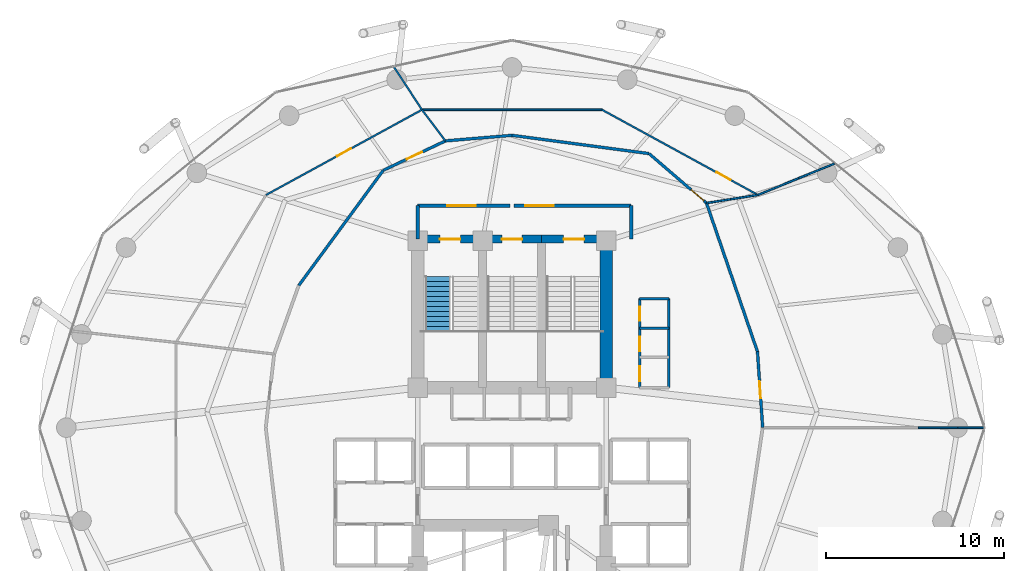
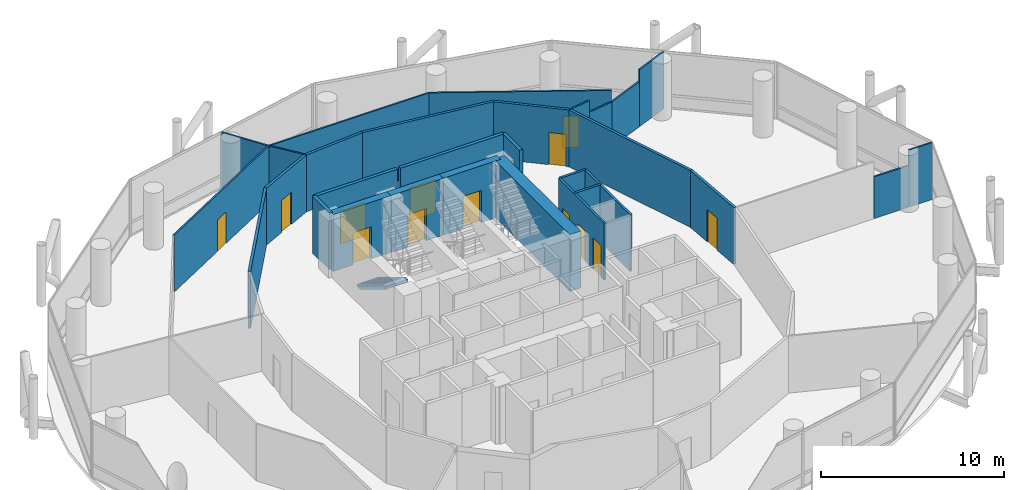
# One storey, part 23 of 25: 30 walls, 13 doors, 1 stair flight, 13 openings, 1 element without a shape of its own.
"""IFC4 building model written with IfcOpenShell, lengths in metres."""

from ifc_helpers import new_model, si_unit, direction, frame, frame_2d, origin, place, context, subcontext, project, spatial, polyline, rectangle, outline, extrude, material, layer, layer_set, type_object, element, fill, aggregate, save


model = new_model("IFC4")

# Units and contexts
model_context = context("Model", 3, precision=1e-05, world=origin(), true_north=direction((0.0, 1.0)))
body_context = subcontext(model_context, "Body", "Model", "MODEL_VIEW")
ifc_project = project(units=[si_unit("LENGTHUNIT", "METRE"), si_unit("AREAUNIT", "SQUARE_METRE"), si_unit("VOLUMEUNIT", "CUBIC_METRE"), si_unit("PLANEANGLEUNIT", "RADIAN"), si_unit("MASSUNIT", "GRAM", prefix="KILO")], contexts=[model_context])

# Site, building, storey
site_placement = place(None, origin())
site = spatial("IfcSite", under=ifc_project, at=site_placement, CompositionType="ELEMENT")
building_placement = place(site_placement, origin())
building = spatial("IfcBuilding", under=site, at=building_placement, Name="Nuhasar Tower", CompositionType="ELEMENT")
storey_placement = place(building_placement, frame((0.0, 0.0, 65.550048828125)))
storey = spatial("IfcBuildingStorey", under=building, at=storey_placement, Name="L15", CompositionType="ELEMENT", Elevation=65.550048828125)

# Wall, opening, door
ifc_material_1 = material(Name="Concrete C50/60", Category="concrete")
ifc_layer_1 = layer(ifc_material_1, 0.449951171875)
ifc_layer_set_1 = layer_set([ifc_layer_1], Name="Concrete C50/60")
wall_type_1 = type_object("IfcWallType", Name="WL-CORE-450", PredefinedType="SHEAR", material=ifc_layer_set_1)
wall_1_placement = place(storey_placement, frame((37.35009765625, 37.39990234375, 0.0), z_axis=(0.0, 0.0, 1.0), x_axis=(-1.0, 0.0, 0.0)))
wall_1 = element("IfcWall", 1, at=wall_1_placement, inside=storey, type_object=wall_type_1, Name="L15 Stairwell Shear Wall ST01-N", PredefinedType="SHEAR", context=body_context, shape_type="SweptSolid", body=[
    extrude(rectangle(XDim=3.650146484375, YDim=0.449951171875, at=frame_2d((1.8251953125, 0.0))), origin(), (0.0, 0.0, 1.0), 3.800048828125),
])
opening_1_placement = place(wall_1_placement, frame((1.25, 0.0, 0.0)))
opening_1 = element("IfcOpeningElement", 2, at=opening_1_placement, cuts=wall_1, Name="Opening DS-01", PredefinedType="OPENING", context=body_context, shape_type="SweptSolid", body=[
    extrude(rectangle(XDim=1.14990234375, YDim=2.14990234375, at=frame_2d((0.574951171875, 1.074951171875))), frame((0.0, 0.23486328125, 0.0), z_axis=(0.0, -1.0, 0.0), x_axis=(1.0, 0.0, 0.0)), (0.0, 0.0, 1.0), 0.469970703125),
])
ifc_material_2 = material(Name="Steel S355", Category="steel")
door_type_1 = type_object("IfcDoorType", Name="DR-STAIR-FD120-1150", OperationType="NOTDEFINED", PredefinedType="DOOR", material=ifc_material_2)
door_1_placement = place(opening_1_placement, origin())
door_1 = element("IfcDoor", 3, at=door_1_placement, inside=storey, type_object=door_type_1, Name="L15 Exit Stair ST-01 Door", OperationType="SINGLE_SWING_RIGHT", OverallHeight=2.14990234375, OverallWidth=1.14990234375, PredefinedType="DOOR", context=body_context, shape_type="SweptSolid", body=[
    extrude(rectangle(XDim=1.14990234375, YDim=2.14990234375, at=frame_2d((0.574951171875, 1.074951171875))), frame((0.0, 0.02490234375, 0.0), z_axis=(0.0, -1.0, 0.0), x_axis=(1.0, 0.0, 0.0)), (0.0, 0.0, 1.0), 0.050048828125),
])
fill(opening_1, door_1)

wall_2_placement = place(storey_placement, frame((40.64990234375, 37.39990234375, 0.0), z_axis=(0.0, 0.0, 1.0), x_axis=(-1.0, 0.0, 0.0)))
wall_2 = element("IfcWall", 4, at=wall_2_placement, inside=storey, type_object=wall_type_1, Name="L15 Stairwell Shear Wall ST03-N", PredefinedType="SHEAR", context=body_context, shape_type="SweptSolid", body=[
    extrude(rectangle(XDim=3.2998046875, YDim=0.449951171875, at=frame_2d((1.64990234375, 0.0))), origin(), (0.0, 0.0, 1.0), 3.800048828125),
])
opening_2_placement = place(wall_2_placement, frame((1.074951171875, 0.0, 0.0)))
opening_2 = element("IfcOpeningElement", 5, at=opening_2_placement, cuts=wall_2, Name="Opening DS-01", PredefinedType="OPENING", context=body_context, shape_type="SweptSolid", body=[
    extrude(rectangle(XDim=1.14990234375, YDim=2.14990234375, at=frame_2d((0.574951171875, 1.074951171875))), frame((0.0, 0.23486328125, 0.0), z_axis=(0.0, -1.0, 0.0), x_axis=(1.0, 0.0, 0.0)), (0.0, 0.0, 1.0), 0.469970703125),
])
door_2_placement = place(opening_2_placement, origin())
door_2 = element("IfcDoor", 6, at=door_2_placement, inside=storey, type_object=door_type_1, Name="L15 Exit Stair ST-03 Door", OperationType="SINGLE_SWING_RIGHT", OverallHeight=2.14990234375, OverallWidth=1.14990234375, PredefinedType="DOOR", context=body_context, shape_type="SweptSolid", body=[
    extrude(rectangle(XDim=1.14990234375, YDim=2.14990234375, at=frame_2d((0.574951171875, 1.074951171875))), frame((0.0, 0.02490234375, 0.0), z_axis=(0.0, -1.0, 0.0), x_axis=(1.0, 0.0, 0.0)), (0.0, 0.0, 1.0), 0.050048828125),
])
fill(opening_2, door_2)

wall_3_placement = place(storey_placement, frame((44.300048828125, 37.39990234375, 0.0), z_axis=(0.0, 0.0, 1.0), x_axis=(-1.0, 0.0, 0.0)))
wall_3 = element("IfcWall", 7, at=wall_3_placement, inside=storey, type_object=wall_type_1, Name="L15 Stairwell Shear Wall ST02-N", PredefinedType="SHEAR", context=body_context, shape_type="SweptSolid", body=[
    extrude(rectangle(XDim=3.650146484375, YDim=0.449951171875, at=frame_2d((1.8251953125, 0.0))), origin(), (0.0, 0.0, 1.0), 3.800048828125),
])
opening_3_placement = place(wall_3_placement, frame((1.25, 0.0, 0.0)))
opening_3 = element("IfcOpeningElement", 8, at=opening_3_placement, cuts=wall_3, Name="Opening DS-01", PredefinedType="OPENING", context=body_context, shape_type="SweptSolid", body=[
    extrude(rectangle(XDim=1.14990234375, YDim=2.14990234375, at=frame_2d((0.574951171875, 1.074951171875))), frame((0.0, 0.23486328125, 0.0), z_axis=(0.0, -1.0, 0.0), x_axis=(1.0, 0.0, 0.0)), (0.0, 0.0, 1.0), 0.469970703125),
])
door_3_placement = place(opening_3_placement, origin())
door_3 = element("IfcDoor", 9, at=door_3_placement, inside=storey, type_object=door_type_1, Name="L15 Exit Stair ST-02 Door", OperationType="SINGLE_SWING_LEFT", OverallHeight=2.14990234375, OverallWidth=1.14990234375, PredefinedType="DOOR", context=body_context, shape_type="SweptSolid", body=[
    extrude(rectangle(XDim=1.14990234375, YDim=2.14990234375, at=frame_2d((0.574951171875, 1.074951171875))), frame((0.0, 0.02490234375, 0.0), z_axis=(0.0, -1.0, 0.0), x_axis=(1.0, 0.0, 0.0)), (0.0, 0.0, 1.0), 0.050048828125),
])
fill(opening_3, door_3)

# Wall
ifc_material_3 = material(Name="Concrete C65/80", Category="concrete")
ifc_layer_2 = layer(ifc_material_3, 0.699951171875)
ifc_layer_set_2 = layer_set([ifc_layer_2], Name="Concrete C65/80")
wall_type_2 = type_object("IfcWallType", Name="WL-CORE-700", PredefinedType="SHEAR", material=ifc_layer_set_2)
wall_4_placement = place(storey_placement, frame((44.300048828125, 29.050048828125, 0.0), z_axis=(0.0, 0.0, 1.0), x_axis=(0.0, 1.0, 0.0)))
element("IfcWall", 10, at=wall_4_placement, inside=storey, type_object=wall_type_2, Name="L15 Core Shear Wall CW-NE CW-700", PredefinedType="SHEAR", context=body_context, shape_type="SweptSolid", body=[
    extrude(rectangle(XDim=8.349853515625, YDim=0.699951171875, at=frame_2d((4.1748046875, 0.0))), origin(), (0.0, 0.0, 1.0), 3.800048828125),
])

# Wall, opening, door
ifc_material_4 = material(Name="Gypsum Board", Category="gypsum")
ifc_layer_3 = layer(ifc_material_4, 0.159912109375)
ifc_layer_set_3 = layer_set([ifc_layer_3], Name="Gypsum Board")
wall_type_3 = type_object("IfcWallType", Name="WL-CORR-160", PredefinedType="PARTITIONING", material=ifc_layer_set_3)
wall_5_placement = place(storey_placement, frame((52.798095703125, 31.069091796875, 0.0), z_axis=(0.0, 0.0, 1.0), x_axis=(0.068238144639, -0.99766906117, 0.0)))
wall_5 = element("IfcWall", 11, at=wall_5_placement, inside=storey, type_object=wall_type_3, Name="L15 Interior Partition CORR-00", PredefinedType="PARTITIONING", context=body_context, shape_type="SweptSolid", body=[
    extrude(rectangle(XDim=4.279052734375, YDim=0.159912109375, at=frame_2d((2.1396484375, 0.0))), origin(), (0.0, 0.0, 1.0), 3.800048828125),
])
opening_4_placement = place(wall_5_placement, frame((1.6640625, 0.0, 0.0)))
opening_4 = element("IfcOpeningElement", 12, at=opening_4_placement, cuts=wall_5, Name="Opening DO-01", PredefinedType="OPENING", context=body_context, shape_type="SweptSolid", body=[
    extrude(rectangle(XDim=0.949951171875, YDim=2.14990234375, at=frame_2d((0.47509765625, 1.074951171875))), frame((0.0, 0.08984375, 0.0), z_axis=(0.0, -1.0, 0.0), x_axis=(1.0, 0.0, 0.0)), (0.0, 0.0, 1.0), 0.179931640625),
])
ifc_material_5 = material(Name="Timber Oak", Category="wood")
door_type_2 = type_object("IfcDoorType", Name="DR-OFFICE-FD30-950", OperationType="NOTDEFINED", PredefinedType="DOOR", material=ifc_material_5)
door_4_placement = place(opening_4_placement, origin())
door_4 = element("IfcDoor", 13, at=door_4_placement, inside=storey, type_object=door_type_2, Name="L15 Quantitative Markets Lounge Entry Door", OperationType="SINGLE_SWING_LEFT", OverallHeight=2.14990234375, OverallWidth=0.949951171875, PredefinedType="DOOR", context=body_context, shape_type="SweptSolid", body=[
    extrude(rectangle(XDim=0.949951171875, YDim=2.14990234375, at=frame_2d((0.47509765625, 1.074951171875))), frame((0.0, 0.02490234375, 0.0), z_axis=(0.0, -1.0, 0.0), x_axis=(1.0, 0.0, 0.0)), (0.0, 0.0, 1.0), 0.050048828125),
])
fill(opening_4, door_4)

# Wall
wall_6_placement = place(storey_placement, frame((52.798095703125, 31.069091796875, 0.0), z_axis=(0.0, 0.0, 1.0), x_axis=(-0.32452502426, 0.945877110744, 0.0)))
element("IfcWall", 14, at=wall_6_placement, inside=storey, type_object=wall_type_3, Name="L15 Interior Partition CORR-02", PredefinedType="PARTITIONING", context=body_context, shape_type="SweptSolid", body=[
    extrude(rectangle(XDim=8.83203125, YDim=0.159912109375, at=frame_2d((4.416015625, 0.0))), origin(), (0.0, 0.0, 1.0), 3.800048828125),
])

# Wall, opening, door
wall_7_placement = place(storey_placement, frame((46.702880859375, 42.2041015625, 0.0), z_axis=(0.0, 0.0, 1.0), x_axis=(0.757713718274, -0.652587098508, 0.0)))
wall_7 = element("IfcWall", 15, at=wall_7_placement, inside=storey, type_object=wall_type_3, Name="L15 Interior Partition CORR-06", PredefinedType="PARTITIONING", context=body_context, shape_type="SweptSolid", body=[
    extrude(rectangle(XDim=4.261474609375, YDim=0.159912109375, at=frame_2d((2.130859375, 0.0))), origin(), (0.0, 0.0, 1.0), 3.800048828125),
])
opening_5_placement = place(wall_7_placement, frame((3.112060546875, 0.0, 0.0)))
opening_5 = element("IfcOpeningElement", 16, at=opening_5_placement, cuts=wall_7, Name="Opening DO-01", PredefinedType="OPENING", context=body_context, shape_type="SweptSolid", body=[
    extrude(rectangle(XDim=0.949951171875, YDim=2.14990234375, at=frame_2d((0.47509765625, 1.074951171875))), frame((0.0, 0.08984375, 0.0), z_axis=(0.0, -1.0, 0.0), x_axis=(1.0, 0.0, 0.0)), (0.0, 0.0, 1.0), 0.179931640625),
])
door_5_placement = place(opening_5_placement, origin())
door_5 = element("IfcDoor", 17, at=door_5_placement, inside=storey, type_object=door_type_2, Name="L15 Portfolio Research Office 1 Entry Door", OperationType="SINGLE_SWING_RIGHT", OverallHeight=2.14990234375, OverallWidth=0.949951171875, PredefinedType="DOOR", context=body_context, shape_type="SweptSolid", body=[
    extrude(rectangle(XDim=0.949951171875, YDim=2.14990234375, at=frame_2d((0.47509765625, 1.074951171875))), frame((0.0, 0.02490234375, 0.0), z_axis=(0.0, -1.0, 0.0), x_axis=(1.0, 0.0, 0.0)), (0.0, 0.0, 1.0), 0.050048828125),
])
fill(opening_5, door_5)

# Walls
wall_8_placement = place(storey_placement, frame((46.702880859375, 42.2041015625, 0.0), z_axis=(0.0, 0.0, 1.0), x_axis=(-0.991247645473, 0.132015549627, 0.0)))
element("IfcWall", 18, at=wall_8_placement, inside=storey, type_object=wall_type_3, Name="L15 Interior Partition CORR-08", PredefinedType="PARTITIONING", context=body_context, shape_type="SweptSolid", body=[
    extrude(rectangle(XDim=7.77099609375, YDim=0.159912109375, at=frame_2d((3.885498046875, 0.0))), origin(), (0.0, 0.0, 1.0), 3.800048828125),
])
wall_9_placement = place(storey_placement, frame((39.0, 43.22998046875, 0.0), z_axis=(0.0, 0.0, 1.0), x_axis=(-0.996516536006, -0.083395404345, 0.0)))
element("IfcWall", 19, at=wall_9_placement, inside=storey, type_object=wall_type_3, Name="L15 Interior Partition CORR-12", PredefinedType="PARTITIONING", context=body_context, shape_type="SweptSolid", body=[
    extrude(rectangle(XDim=3.753173828125, YDim=0.159912109375, at=frame_2d((1.87646484375, 0.0))), origin(), (0.0, 0.0, 1.0), 3.800048828125),
])

# Wall, opening, door
wall_10_placement = place(storey_placement, frame((31.76708984375, 41.264892578125, 0.0), z_axis=(0.0, 0.0, 1.0), x_axis=(0.90398213878, 0.427570219691, 0.0)))
wall_10 = element("IfcWall", 20, at=wall_10_placement, inside=storey, type_object=wall_type_3, Name="L15 Interior Partition CORR-14", PredefinedType="PARTITIONING", context=body_context, shape_type="SweptSolid", body=[
    extrude(rectangle(XDim=3.864013671875, YDim=0.159912109375, at=frame_2d((1.93212890625, 0.0))), origin(), (0.0, 0.0, 1.0), 3.800048828125),
])
opening_6_placement = place(wall_10_placement, frame((1.45703125, 0.0, 0.0)))
opening_6 = element("IfcOpeningElement", 21, at=opening_6_placement, cuts=wall_10, Name="Opening DO-01", PredefinedType="OPENING", context=body_context, shape_type="SweptSolid", body=[
    extrude(rectangle(XDim=0.949951171875, YDim=2.14990234375, at=frame_2d((0.47509765625, 1.074951171875))), frame((0.0, 0.08984375, 0.0), z_axis=(0.0, -1.0, 0.0), x_axis=(1.0, 0.0, 0.0)), (0.0, 0.0, 1.0), 0.179931640625),
])
door_6_placement = place(opening_6_placement, origin())
door_6 = element("IfcDoor", 22, at=door_6_placement, inside=storey, type_object=door_type_2, Name="L15 Portfolio Research Office 2 Entry Door", OperationType="SINGLE_SWING_RIGHT", OverallHeight=2.14990234375, OverallWidth=0.949951171875, PredefinedType="DOOR", context=body_context, shape_type="SweptSolid", body=[
    extrude(rectangle(XDim=0.949951171875, YDim=2.14990234375, at=frame_2d((0.47509765625, 1.074951171875))), frame((0.0, 0.02490234375, 0.0), z_axis=(0.0, -1.0, 0.0), x_axis=(1.0, 0.0, 0.0)), (0.0, 0.0, 1.0), 0.050048828125),
])
fill(opening_6, door_6)

# Walls
wall_11_placement = place(storey_placement, frame((31.76708984375, 41.264892578125, 0.0), z_axis=(0.0, 0.0, 1.0), x_axis=(-0.59176417482, -0.806111134645, 0.0)))
element("IfcWall", 23, at=wall_11_placement, inside=storey, type_object=wall_type_3, Name="L15 Interior Partition CORR-16", PredefinedType="PARTITIONING", context=body_context, shape_type="SweptSolid", body=[
    extrude(rectangle(XDim=8.0322265625, YDim=0.159912109375, at=frame_2d((4.01611328125, 0.0))), origin(), (0.0, 0.0, 1.0), 3.800048828125),
])
ifc_material_6 = material(Name="Concrete C45/55", Category="concrete")
ifc_layer_4 = layer(ifc_material_6, 0.199951171875)
ifc_layer_set_4 = layer_set([ifc_layer_4], Name="Concrete C45/55")
wall_type_4 = type_object("IfcWallType", Name="WL-LOBBY-200", PredefinedType="SOLIDWALL", material=ifc_layer_set_4)
for number, where, z_axis, x_axis, name in (
    (24, (33.699951171875, 37.39990234375, 0.0), (0.0, 0.0, 1.0), (0.0, 1.0, 0.0), "L15 Interior Partition NSL-W"),
    (25, (45.699951171875, 37.39990234375, 0.0), (0.0, 0.0, 1.0), (0.0, 1.0, 0.0), "L15 Interior Partition NSL-E"),
):
    element("IfcWall", number, at=place(storey_placement, frame(where, z_axis=z_axis, x_axis=x_axis)), inside=storey, type_object=wall_type_4, Name=name, PredefinedType="SOLIDWALL", context=body_context, shape_type="SweptSolid", body=[
        extrude(rectangle(XDim=1.880126953125, YDim=0.199951171875, at=frame_2d((0.93994140625, 0.0))), origin(), (0.0, 0.0, 1.0), 3.800048828125),
    ])

# Wall, opening, door
wall_12_placement = place(storey_placement, frame((38.89990234375, 39.280029296875, 0.0), z_axis=(0.0, 0.0, 1.0), x_axis=(-1.0, 0.0, 0.0)))
wall_12 = element("IfcWall", 26, at=wall_12_placement, inside=storey, type_object=wall_type_4, Name="L15 Interior Partition NSL-N1", PredefinedType="SOLIDWALL", context=body_context, shape_type="SweptSolid", body=[
    extrude(rectangle(XDim=5.199951171875, YDim=0.199951171875, at=frame_2d((2.60009765625, 0.0))), origin(), (0.0, 0.0, 1.0), 3.800048828125),
])
opening_7_placement = place(wall_12_placement, frame((1.949951171875, 0.0, 0.0)))
opening_7 = element("IfcOpeningElement", 27, at=opening_7_placement, cuts=wall_12, Name="Opening DC-01", PredefinedType="OPENING", context=body_context, shape_type="SweptSolid", body=[
    extrude(rectangle(XDim=1.60009765625, YDim=2.199951171875, at=frame_2d((0.800048828125, 1.10009765625))), frame((0.0, 0.10986328125, 0.0), z_axis=(0.0, -1.0, 0.0), x_axis=(1.0, 0.0, 0.0)), (0.0, 0.0, 1.0), 0.219970703125),
])
door_type_3 = type_object("IfcDoorType", Name="DR-CORR-FD60-1600", OperationType="DOUBLE_DOOR_SINGLE_SWING", PredefinedType="DOOR", material=ifc_material_2)
door_7_placement = place(opening_7_placement, origin())
door_7 = element("IfcDoor", 28, at=door_7_placement, inside=storey, type_object=door_type_3, Name="L15 North Stair Lobby West Door", OperationType="DOUBLE_DOOR_SINGLE_SWING", OverallHeight=2.199951171875, OverallWidth=1.60009765625, PredefinedType="DOOR", context=body_context, shape_type="SweptSolid", body=[
    extrude(rectangle(XDim=1.60009765625, YDim=2.199951171875, at=frame_2d((0.800048828125, 1.10009765625))), frame((0.0, 0.02490234375, 0.0), z_axis=(0.0, -1.0, 0.0), x_axis=(1.0, 0.0, 0.0)), (0.0, 0.0, 1.0), 0.050048828125),
])
fill(opening_7, door_7)

wall_13_placement = place(storey_placement, frame((45.699951171875, 39.280029296875, 0.0), z_axis=(0.0, 0.0, 1.0), x_axis=(-1.0, 0.0, 0.0)))
wall_13 = element("IfcWall", 29, at=wall_13_placement, inside=storey, type_object=wall_type_4, Name="L15 Interior Partition NSL-N2", PredefinedType="SOLIDWALL", context=body_context, shape_type="SweptSolid", body=[
    extrude(rectangle(XDim=6.599853515625, YDim=0.199951171875, at=frame_2d((3.2998046875, 0.0))), origin(), (0.0, 0.0, 1.0), 3.800048828125),
])
opening_8_placement = place(wall_13_placement, frame((4.35009765625, 0.0, 0.0)))
opening_8 = element("IfcOpeningElement", 30, at=opening_8_placement, cuts=wall_13, Name="Opening DC-01", PredefinedType="OPENING", context=body_context, shape_type="SweptSolid", body=[
    extrude(rectangle(XDim=1.60009765625, YDim=2.199951171875, at=frame_2d((0.800048828125, 1.10009765625))), frame((0.0, 0.10986328125, 0.0), z_axis=(0.0, -1.0, 0.0), x_axis=(1.0, 0.0, 0.0)), (0.0, 0.0, 1.0), 0.219970703125),
])
door_8_placement = place(opening_8_placement, origin())
door_8 = element("IfcDoor", 31, at=door_8_placement, inside=storey, type_object=door_type_3, Name="L15 North Stair Lobby East Door", OperationType="DOUBLE_DOOR_SINGLE_SWING", OverallHeight=2.199951171875, OverallWidth=1.60009765625, PredefinedType="DOOR", context=body_context, shape_type="SweptSolid", body=[
    extrude(rectangle(XDim=1.60009765625, YDim=2.199951171875, at=frame_2d((0.800048828125, 1.10009765625))), frame((0.0, 0.02490234375, 0.0), z_axis=(0.0, -1.0, 0.0), x_axis=(1.0, 0.0, 0.0)), (0.0, 0.0, 1.0), 0.050048828125),
])
fill(opening_8, door_8)

# Walls
ifc_material_7 = material(Name="Aluminium 6063-T6", Category="aluminium")
ifc_layer_5 = layer(ifc_material_7, 0.10009765625)
ifc_layer_set_5 = layer_set([ifc_layer_5], Name="Aluminium 6063-T6")
wall_type_5 = type_object("IfcWallType", Name="WL-MOVABLE-100", PredefinedType="MOVABLE", material=ifc_layer_set_5)
wall_14_placement = place(storey_placement, frame((61.840087890625, 26.800048828125, 0.0), z_axis=(0.0, 0.0, 1.0), x_axis=(1.0, 0.0, 0.0)))
element("IfcWall", 32, at=wall_14_placement, inside=storey, type_object=wall_type_5, Name="L15 Interior Partition ORAD-00", PredefinedType="MOVABLE", context=body_context, shape_type="SweptSolid", body=[
    extrude(rectangle(XDim=2.2158203125, YDim=0.10009765625, at=frame_2d((1.10791015625, 0.0))), origin(), (0.0, 0.0, 1.0), 2.7900390625),
])
wall_15_placement = place(storey_placement, frame((64.055908203125, 26.800048828125, 0.0), z_axis=(0.0, 0.0, 1.0), x_axis=(1.0, 0.0, 0.0)))
element("IfcWall", 33, at=wall_15_placement, inside=storey, type_object=wall_type_5, Name="L15 Interior Partition ORAD-00", PredefinedType="MOVABLE", context=body_context, shape_type="SweptSolid", body=[
    extrude(rectangle(XDim=1.468994140625, YDim=0.10009765625, at=frame_2d((0.734375, 0.0))), origin(), (0.0, 0.0, 1.0), 3.800048828125),
])
wall_16_placement = place(storey_placement, frame((49.931884765625, 39.423095703125, 0.0), z_axis=(0.0, 0.0, 1.0), x_axis=(0.987804034071, 0.155702248772, 0.0)))
element("IfcWall", 34, at=wall_16_placement, inside=storey, type_object=wall_type_5, Name="L15 Interior Partition ORAD-06-S1", PredefinedType="MOVABLE", context=body_context, shape_type="SweptSolid", body=[
    extrude(rectangle(XDim=1.348388671875, YDim=0.10009765625, at=frame_2d((0.67431640625, 0.0))), origin(), (0.0, 0.0, 1.0), 3.800048828125),
])
wall_17_placement = place(storey_placement, frame((51.263916015625, 39.633056640625, 0.0), z_axis=(0.0, 0.0, 1.0), x_axis=(0.9877140387, 0.15627212725, 0.0)))
element("IfcWall", 35, at=wall_17_placement, inside=storey, type_object=wall_type_5, Name="L15 Interior Partition ORAD-06-S1", PredefinedType="MOVABLE", context=body_context, shape_type="SweptSolid", body=[
    extrude(rectangle(XDim=1.579345703125, YDim=0.10009765625, at=frame_2d((0.78955078125, 0.0))), origin(), (0.0, 0.0, 1.0), 3.02001953125),
])
wall_18_placement = place(storey_placement, frame((52.823974609375, 39.8798828125, 0.0), z_axis=(0.0, 0.0, 1.0), x_axis=(0.92535552939, 0.379100440817, 0.0)))
element("IfcWall", 36, at=wall_18_placement, inside=storey, type_object=wall_type_5, Name="L15 Interior Partition ORAD-06-S2", PredefinedType="MOVABLE", context=body_context, shape_type="SweptSolid", body=[
    extrude(rectangle(XDim=2.47998046875, YDim=0.10009765625, at=frame_2d((1.239990234375, 0.0))), origin(), (0.0, 0.0, 1.0), 3.02001953125),
])
wall_19_placement = place(storey_placement, frame((55.118896484375, 40.820068359375, 0.0), z_axis=(0.0, 0.0, 1.0), x_axis=(0.925467678062, 0.378826578875, 0.0)))
element("IfcWall", 37, at=wall_19_placement, inside=storey, type_object=wall_type_5, Name="L15 Interior Partition ORAD-06-S2", PredefinedType="MOVABLE", context=body_context, shape_type="SweptSolid", body=[
    extrude(rectangle(XDim=2.158935546875, YDim=0.10009765625, at=frame_2d((1.07958984375, 0.0))), origin(), (0.0, 0.0, 1.0), 3.800048828125),
])

# Wall, opening, door
wall_20_placement = place(storey_placement, frame((44.06005859375, 44.66796875, 0.0), z_axis=(0.0, 0.0, 1.0), x_axis=(0.877568372218, -0.479451511712, 0.0)))
wall_20 = element("IfcWall", 38, at=wall_20_placement, inside=storey, type_object=wall_type_5, Name="L15 Interior Partition OMID-02-06", PredefinedType="MOVABLE", context=body_context, shape_type="SweptSolid", body=[
    extrude(rectangle(XDim=9.986572265625, YDim=0.10009765625, at=frame_2d((4.9931640625, 0.0))), origin(), (0.0, 0.0, 1.0), 3.800048828125),
])
opening_9_placement = place(wall_20_placement, frame((7.330078125, 0.0, 0.0)))
opening_9 = element("IfcOpeningElement", 39, at=opening_9_placement, cuts=wall_20, Name="Opening DR-01", PredefinedType="OPENING", context=body_context, shape_type="SweptSolid", body=[
    extrude(rectangle(XDim=0.89990234375, YDim=2.10009765625, at=frame_2d((0.449951171875, 1.050048828125))), frame((0.0, 0.06005859375, 0.0), z_axis=(0.0, -1.0, 0.0), x_axis=(1.0, 0.0, 0.0)), (0.0, 0.0, 1.0), 0.1201171875),
])
door_type_4 = type_object("IfcDoorType", Name="DR-ROOM-900", OperationType="NOTDEFINED", PredefinedType="DOOR", material=ifc_material_5)
door_9_placement = place(opening_9_placement, origin())
door_9 = element("IfcDoor", 40, at=door_9_placement, inside=storey, type_object=door_type_4, Name="L15 Portfolio Research Office 1 Inner Door", OperationType="SINGLE_SWING_RIGHT", OverallHeight=2.10009765625, OverallWidth=0.89990234375, PredefinedType="DOOR", context=body_context, shape_type="SweptSolid", body=[
    extrude(rectangle(XDim=0.89990234375, YDim=2.10009765625, at=frame_2d((0.449951171875, 1.050048828125))), frame((0.0, 0.02490234375, 0.0), z_axis=(0.0, -1.0, 0.0), x_axis=(1.0, 0.0, 0.0)), (0.0, 0.0, 1.0), 0.050048828125),
])
fill(opening_9, door_9)

# Walls
wall_21_placement = place(storey_placement, frame((44.06005859375, 44.66796875, 0.0), z_axis=(0.0, 0.0, 1.0), x_axis=(-1.0, 0.0, 0.0)))
element("IfcWall", 41, at=wall_21_placement, inside=storey, type_object=wall_type_5, Name="L15 Interior Partition OMID-02-10", PredefinedType="MOVABLE", context=body_context, shape_type="SweptSolid", body=[
    extrude(rectangle(XDim=10.1201171875, YDim=0.10009765625, at=frame_2d((5.06005859375, 0.0))), origin(), (0.0, 0.0, 1.0), 3.800048828125),
])
wall_22_placement = place(storey_placement, frame((35.260009765625, 42.9169921875, 0.0), z_axis=(0.0, 0.0, 1.0), x_axis=(-0.601993273634, 0.798501157482, 0.0)))
element("IfcWall", 42, at=wall_22_placement, inside=storey, type_object=wall_type_5, Name="L15 Interior Partition ORAD-14-S1", PredefinedType="MOVABLE", context=body_context, shape_type="SweptSolid", body=[
    extrude(rectangle(XDim=2.19287109375, YDim=0.10009765625, at=frame_2d((1.096435546875, 0.0))), origin(), (0.0, 0.0, 1.0), 3.800048828125),
])
wall_23_placement = place(storey_placement, frame((33.93994140625, 44.66796875, 0.0), z_axis=(0.0, 0.0, 1.0), x_axis=(-0.54751296274, 0.836797201018, 0.0)))
element("IfcWall", 43, at=wall_23_placement, inside=storey, type_object=wall_type_5, Name="L15 Interior Partition ORAD-14-S2", PredefinedType="MOVABLE", context=body_context, shape_type="SweptSolid", body=[
    extrude(rectangle(XDim=2.869384765625, YDim=0.10009765625, at=frame_2d((1.4345703125, 0.0))), origin(), (0.0, 0.0, 1.0), 3.800048828125),
])

# Wall, opening, door
wall_24_placement = place(storey_placement, frame((25.176025390625, 39.8798828125, 0.0), z_axis=(0.0, 0.0, 1.0), x_axis=(0.877568372218, 0.479451511712, 0.0)))
wall_24 = element("IfcWall", 44, at=wall_24_placement, inside=storey, type_object=wall_type_5, Name="L15 Interior Partition OMID-03-14", PredefinedType="MOVABLE", context=body_context, shape_type="SweptSolid", body=[
    extrude(rectangle(XDim=9.986572265625, YDim=0.10009765625, at=frame_2d((4.9931640625, 0.0))), origin(), (0.0, 0.0, 1.0), 3.800048828125),
])
opening_10_placement = place(wall_24_placement, frame((4.54296875, 0.0, 0.0)))
opening_10 = element("IfcOpeningElement", 45, at=opening_10_placement, cuts=wall_24, Name="Opening DR-01", PredefinedType="OPENING", context=body_context, shape_type="SweptSolid", body=[
    extrude(rectangle(XDim=0.89990234375, YDim=2.10009765625, at=frame_2d((0.449951171875, 1.050048828125))), frame((0.0, 0.06005859375, 0.0), z_axis=(0.0, -1.0, 0.0), x_axis=(1.0, 0.0, 0.0)), (0.0, 0.0, 1.0), 0.1201171875),
])
door_10_placement = place(opening_10_placement, origin())
door_10 = element("IfcDoor", 46, at=door_10_placement, inside=storey, type_object=door_type_4, Name="L15 Portfolio Research Office 2 Inner Door", OperationType="SINGLE_SWING_LEFT", OverallHeight=2.10009765625, OverallWidth=0.89990234375, PredefinedType="DOOR", context=body_context, shape_type="SweptSolid", body=[
    extrude(rectangle(XDim=0.89990234375, YDim=2.10009765625, at=frame_2d((0.449951171875, 1.050048828125))), frame((0.0, 0.02490234375, 0.0), z_axis=(0.0, -1.0, 0.0), x_axis=(1.0, 0.0, 0.0)), (0.0, 0.0, 1.0), 0.050048828125),
])
fill(opening_10, door_10)

# Wall, openings, doors
ifc_material_8 = material(Name="Concrete C40/50 precast", Category="concrete")
ifc_layer_6 = layer(ifc_material_8, 0.139892578125)
ifc_layer_set_6 = layer_set([ifc_layer_6], Name="Concrete C40/50 precast")
wall_type_6 = type_object("IfcWallType", Name="WL-WET-140", PredefinedType="PARTITIONING", material=ifc_layer_set_6)
wall_25_placement = place(storey_placement, frame((46.179931640625, 34.050048828125, 0.0), z_axis=(0.0, 0.0, 1.0), x_axis=(0.0, -1.0, 0.0)))
wall_25 = element("IfcWall", 47, at=wall_25_placement, inside=storey, type_object=wall_type_6, Name="L15 Interior Partition K1-NE-W", PredefinedType="PARTITIONING", context=body_context, shape_type="SweptSolid", body=[
    extrude(rectangle(XDim=5.0, YDim=0.139892578125, at=frame_2d((2.5, 0.0))), origin(), (0.0, 0.0, 1.0), 3.800048828125),
])
opening_11_placement = place(wall_25_placement, frame((3.800048828125, 0.0, 0.0)))
opening_11 = element("IfcOpeningElement", 48, at=opening_11_placement, cuts=wall_25, Name="Opening DB-01", PredefinedType="OPENING", context=body_context, shape_type="SweptSolid", body=[
    extrude(rectangle(XDim=0.85009765625, YDim=2.10009765625, at=frame_2d((0.425048828125, 1.050048828125))), frame((0.0, 0.080078125, 0.0), z_axis=(0.0, -1.0, 0.0), x_axis=(1.0, 0.0, 0.0)), (0.0, 0.0, 1.0), 0.159912109375),
])
opening_12_placement = place(wall_25_placement, frame((2.14990234375, 0.0, 0.0)))
opening_12 = element("IfcOpeningElement", 49, at=opening_12_placement, cuts=wall_25, Name="Opening DM-01", PredefinedType="OPENING", context=body_context, shape_type="SweptSolid", body=[
    extrude(rectangle(XDim=0.800048828125, YDim=2.050048828125, at=frame_2d((0.39990234375, 1.02490234375))), frame((0.0, 0.080078125, 0.0), z_axis=(0.0, -1.0, 0.0), x_axis=(1.0, 0.0, 0.0)), (0.0, 0.0, 1.0), 0.159912109375),
])
opening_13_placement = place(wall_25_placement, frame((0.449951171875, 0.0, 0.0)))
opening_13 = element("IfcOpeningElement", 50, at=opening_13_placement, cuts=wall_25, Name="Opening DM-01", PredefinedType="OPENING", context=body_context, shape_type="SweptSolid", body=[
    extrude(rectangle(XDim=0.800048828125, YDim=2.050048828125, at=frame_2d((0.39990234375, 1.02490234375))), frame((0.0, 0.080078125, 0.0), z_axis=(0.0, -1.0, 0.0), x_axis=(1.0, 0.0, 0.0)), (0.0, 0.0, 1.0), 0.159912109375),
])
door_type_5 = type_object("IfcDoorType", Name="DR-BATH-850", OperationType="NOTDEFINED", PredefinedType="DOOR", material=ifc_material_5)
door_11_placement = place(opening_11_placement, origin())
door_11 = element("IfcDoor", 51, at=door_11_placement, inside=storey, type_object=door_type_5, Name="L15 NE Female WC Door", OperationType="SINGLE_SWING_RIGHT", OverallHeight=2.10009765625, OverallWidth=0.85009765625, PredefinedType="DOOR", context=body_context, shape_type="SweptSolid", body=[
    extrude(rectangle(XDim=0.85009765625, YDim=2.10009765625, at=frame_2d((0.425048828125, 1.050048828125))), frame((0.0, 0.02490234375, 0.0), z_axis=(0.0, -1.0, 0.0), x_axis=(1.0, 0.0, 0.0)), (0.0, 0.0, 1.0), 0.050048828125),
])
fill(opening_11, door_11)
door_type_6 = type_object("IfcDoorType", Name="DR-RISER-FD60-800", OperationType="NOTDEFINED", PredefinedType="DOOR", material=ifc_material_2)
door_12_placement = place(opening_12_placement, origin())
door_12 = element("IfcDoor", 52, at=door_12_placement, inside=storey, type_object=door_type_6, Name="L15 NE Meter Door", OperationType="SINGLE_SWING_RIGHT", OverallHeight=2.050048828125, OverallWidth=0.800048828125, PredefinedType="DOOR", context=body_context, shape_type="SweptSolid", body=[
    extrude(rectangle(XDim=0.800048828125, YDim=2.050048828125, at=frame_2d((0.39990234375, 1.02490234375))), frame((0.0, 0.02490234375, 0.0), z_axis=(0.0, -1.0, 0.0), x_axis=(1.0, 0.0, 0.0)), (0.0, 0.0, 1.0), 0.050048828125),
])
fill(opening_12, door_12)
door_13_placement = place(opening_13_placement, origin())
door_13 = element("IfcDoor", 53, at=door_13_placement, inside=storey, type_object=door_type_6, Name="L15 NE Telecom Door", OperationType="SINGLE_SWING_LEFT", OverallHeight=2.050048828125, OverallWidth=0.800048828125, PredefinedType="DOOR", context=body_context, shape_type="SweptSolid", body=[
    extrude(rectangle(XDim=0.800048828125, YDim=2.050048828125, at=frame_2d((0.39990234375, 1.02490234375))), frame((0.0, 0.02490234375, 0.0), z_axis=(0.0, -1.0, 0.0), x_axis=(1.0, 0.0, 0.0)), (0.0, 0.0, 1.0), 0.050048828125),
])
fill(opening_13, door_13)

# Walls
for number, where, z_axis, x_axis, name in (
    (54, (46.179931640625, 32.39990234375, 0.0), (0.0, 0.0, 1.0), (1.0, 0.0, 0.0), "L15 Interior Partition K1-NE-M2"),
    (55, (46.179931640625, 34.050048828125, 0.0), (0.0, 0.0, 1.0), (1.0, 0.0, 0.0), "L15 Interior Partition K1-NE-N"),
):
    element("IfcWall", number, at=place(storey_placement, frame(where, z_axis=z_axis, x_axis=x_axis)), inside=storey, type_object=wall_type_6, Name=name, PredefinedType="PARTITIONING", context=body_context, shape_type="SweptSolid", body=[
        extrude(rectangle(XDim=1.64013671875, YDim=0.139892578125, at=frame_2d((0.820068359375, 0.0))), origin(), (0.0, 0.0, 1.0), 3.800048828125),
    ])
wall_26_placement = place(storey_placement, frame((47.820068359375, 29.050048828125, 0.0), z_axis=(0.0, 0.0, 1.0), x_axis=(0.0, 1.0, 0.0)))
element("IfcWall", 56, at=wall_26_placement, inside=storey, type_object=wall_type_6, Name="L15 Interior Partition K1-NE-E", PredefinedType="PARTITIONING", context=body_context, shape_type="SweptSolid", body=[
    extrude(rectangle(XDim=5.0, YDim=0.139892578125, at=frame_2d((2.5, 0.0))), origin(), (0.0, 0.0, 1.0), 3.800048828125),
])

# Stair, stair flight
stair_type = type_object("IfcStairType", Name="STR-ST-01-2F-24R-1688", PredefinedType="HALF_TURN_STAIR", material=ifc_material_6)
stair_placement = place(storey_placement, origin())
stair = element("IfcStair", 57, at=stair_placement, inside=storey, type_object=stair_type, Name="L15 Exit Stair ST-01", PredefinedType="HALF_TURN_STAIR")
stair_flight_type = type_object("IfcStairFlightType", Name="SFL-ST-01-12R-1688", PredefinedType="STRAIGHT", material=ifc_material_6)
stair_flight_placement = place(storey_placement, frame((34.830078125, 35.284912109375, 0.0), z_axis=(0.0, 0.0, 1.0), x_axis=(0.0, -1.0, 0.0)))
stair_flight = element("IfcStairFlight", 58, at=stair_flight_placement, type_object=stair_flight_type, Name="ST-01 flight 1", NumberOfRisers=12, NumberOfTreads=11, PredefinedType="STRAIGHT", RiserHeight=0.16875, TreadLength=0.28, context=body_context, shape_type="SweptSolid", body=[
    extrude(outline(polyline([(0.0, 0.0), (0.0, 0.168701171875), (0.280029296875, 0.168701171875), (0.280029296875, 0.33740234375), (0.56005859375, 0.33740234375), (0.56005859375, 0.50634765625), (0.840087890625, 0.50634765625), (0.840087890625, 0.675048828125), (1.1201171875, 0.675048828125), (1.1201171875, 0.84375), (1.39990234375, 0.84375), (1.39990234375, 1.012451171875), (1.679931640625, 1.012451171875), (1.679931640625, 1.18115234375), (1.9599609375, 1.18115234375), (1.9599609375, 1.35009765625), (2.239990234375, 1.35009765625), (2.239990234375, 1.518798828125), (2.52001953125, 1.518798828125), (2.52001953125, 1.6875), (2.800048828125, 1.6875), (2.800048828125, 1.856201171875), (3.080078125, 1.856201171875), (3.080078125, 2.02490234375), (3.080078125, 1.66943359375), (0.309814453125, 0.0), (0.0, 0.0)])), frame((0.0, 0.7099609375, 0.0), z_axis=(0.0, -1.0, 0.0), x_axis=(1.0, 0.0, 0.0)), (0.0, 0.0, 1.0), 1.419921875),
])
aggregate(stair, [stair_flight])

save(model, "model.ifc")
